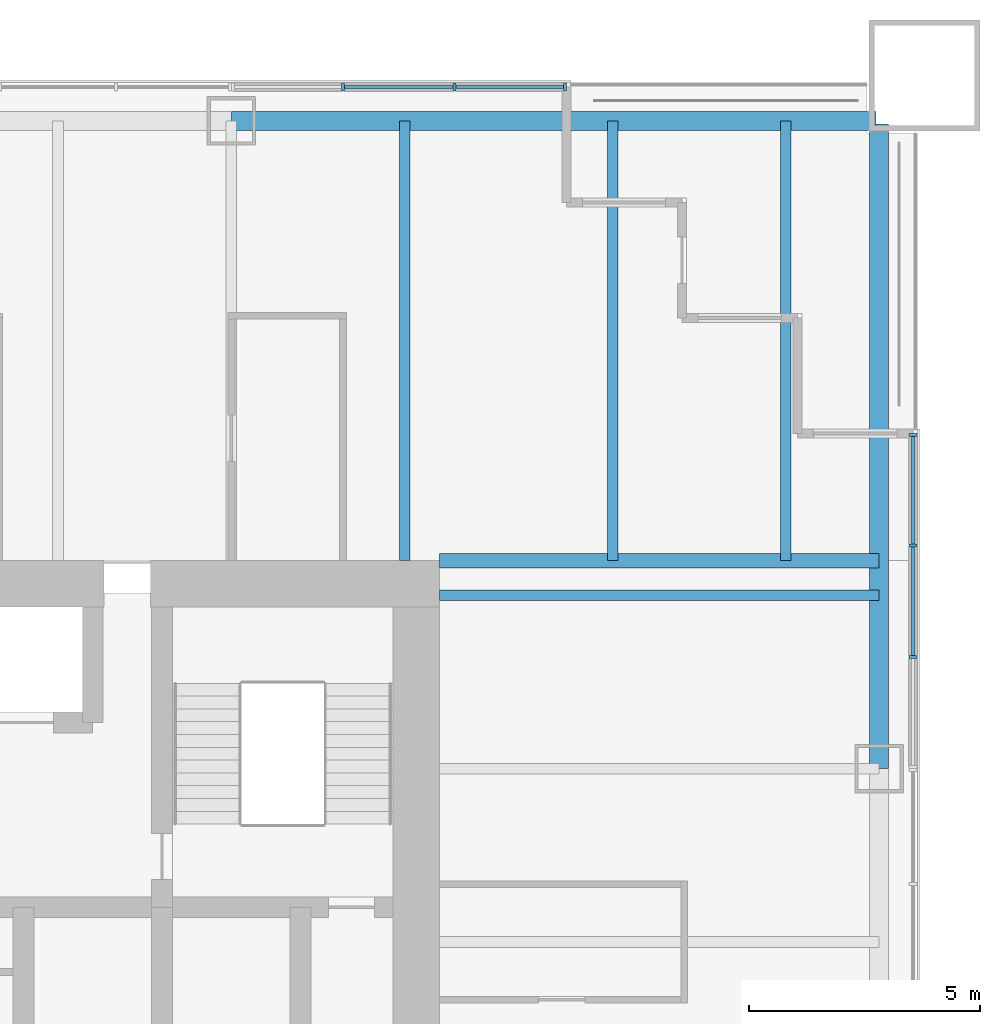
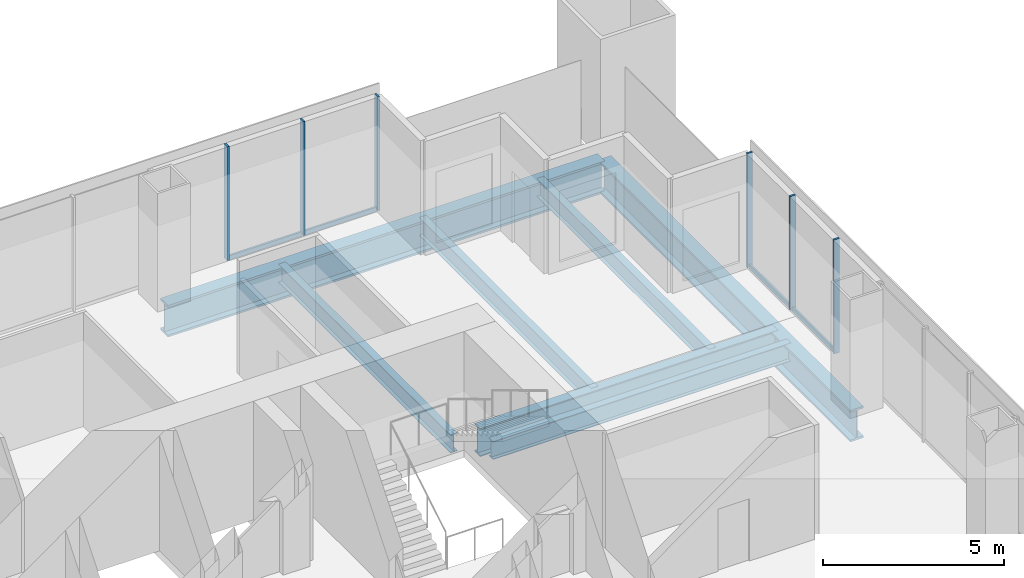
# One storey, part 6 of 13: 10 members, 7 beams, 2 elements without a shape of their own.
"""IFC4 building model written with IfcOpenShell, lengths in metres."""

from ifc_helpers import new_model, si_unit, direction, frame, origin, origin_2d, place, context, subcontext, project, spatial, rectangle, i_section, extrude, material, material_profile, profile_set, type_object, element, aggregate, save


model = new_model("IFC4")

# Units and contexts
model_context = context("Model", 3, precision=1e-05, world=origin(), true_north=direction((0.0, 1.0)))
body_context = subcontext(model_context, "Body", "Model", "MODEL_VIEW")
ifc_project = project(units=[si_unit("LENGTHUNIT", "METRE"), si_unit("AREAUNIT", "SQUARE_METRE"), si_unit("VOLUMEUNIT", "CUBIC_METRE"), si_unit("PLANEANGLEUNIT", "RADIAN"), si_unit("MASSUNIT", "GRAM", prefix="KILO")], contexts=[model_context])

# Site, building, storey
site_placement = place(None, origin())
site = spatial("IfcSite", under=ifc_project, at=site_placement, CompositionType="ELEMENT")
building_placement = place(site_placement, origin())
building = spatial("IfcBuilding", under=site, at=building_placement, Name="Tarangal Relay Tower", CompositionType="ELEMENT")
storey_placement = place(building_placement, frame((0.0, 0.0, 241.89990234375)))
storey = spatial("IfcBuildingStorey", under=building, at=storey_placement, Name="L52", CompositionType="ELEMENT", Elevation=241.89990234375)

# Beams
ifc_material_1 = material(Name="Steel ASTM A992", Category="steel")
ifc_material_profile_1 = material_profile(ifc_material_1, i_section(OverallWidth=0.227783203125, OverallDepth=0.60205078125, WebThickness=0.010498046875, FlangeThickness=0.014892578125, at=origin_2d()), Name="W24X68")
ifc_profile_set_1 = profile_set([ifc_material_profile_1], Name="Steel ASTM A992")
beam_type_1 = type_object("IfcBeamType", Name="Corner beam W24X68", PredefinedType="JOIST", material=ifc_profile_set_1)
for number, where, z_axis, x_axis, name in (
    (1, (15.75, 12.0, -0.450927734375), (0.0, 1.0, 0.0), (-1.0, 0.0, 0.0), "Corner beam CB11 N L52"),
    (2, (19.5, 12.0, -0.450927734375), (0.0, 1.0, 0.0), (-1.0, 0.0, 0.0), "Corner beam CB11 N L52"),
):
    element("IfcBeam", number, at=place(storey_placement, frame(where, z_axis=z_axis, x_axis=x_axis)), inside=storey, type_object=beam_type_1, Name=name, PredefinedType="JOIST", context=body_context, shape_type="SweptSolid", body=[
        extrude(i_section(OverallWidth=0.227783203125, OverallDepth=0.60205078125, WebThickness=0.010498046875, FlangeThickness=0.014892578125, at=origin_2d()), origin(), (0.0, 0.0, 1.0), 9.514892578125),
    ])
ifc_material_profile_2 = material_profile(ifc_material_1, i_section(OverallWidth=0.307373046875, OverallDepth=0.9423828125, WebThickness=0.022216796875, FlangeThickness=0.039794921875, at=origin_2d()), Name="W36X232")
ifc_profile_set_2 = profile_set([ifc_material_profile_2], Name="Steel ASTM A992")
beam_type_2 = type_object("IfcBeamType", Name="Corner girder W36X232", PredefinedType="BEAM", material=ifc_profile_set_2)
beam_placement = place(storey_placement, frame((12.0, 12.0, -0.62109375), z_axis=(1.0, 0.0, 0.0), x_axis=(0.0, 1.0, 0.0)))
element("IfcBeam", 3, at=beam_placement, inside=storey, type_object=beam_type_2, Name="Corner girder CG4 N L52", PredefinedType="BEAM", context=body_context, shape_type="SweptSolid", body=[
    extrude(i_section(OverallWidth=0.307373046875, OverallDepth=0.9423828125, WebThickness=0.022216796875, FlangeThickness=0.039794921875, at=origin_2d()), origin(), (0.0, 0.0, 1.0), 9.514892578125),
])
ifc_material_profile_3 = material_profile(ifc_material_1, i_section(OverallWidth=0.41650390625, OverallDepth=1.0693359375, WebThickness=0.0390625, FlangeThickness=0.070068359375, at=origin_2d()), Name="W40X503")
ifc_profile_set_3 = profile_set([ifc_material_profile_3], Name="Steel ASTM A992")
beam_type_3 = type_object("IfcBeamType", Name="Edge girder W40X503", PredefinedType="SPANDREL", material=ifc_profile_set_3)
for number, where, z_axis, x_axis, name in (
    (4, (7.5, 21.514892578125, -0.6845703125), (1.0, 0.0, 0.0), (0.0, 1.0, 0.0), "Edge girder EG8 N L52"),
    (5, (21.514892578125, 21.449951171875, -0.6845703125), (0.0, -1.0, 0.0), (1.0, 0.0, 0.0), "Edge girder EG8 E L52"),
):
    element("IfcBeam", number, at=place(storey_placement, frame(where, z_axis=z_axis, x_axis=x_axis)), inside=storey, type_object=beam_type_3, Name=name, PredefinedType="SPANDREL", context=body_context, shape_type="SweptSolid", body=[
        extrude(i_section(OverallWidth=0.41650390625, OverallDepth=1.0693359375, WebThickness=0.0390625, FlangeThickness=0.070068359375, at=origin_2d()), origin(), (0.0, 0.0, 1.0), 13.949951171875),
    ])
ifc_material_profile_4 = material_profile(ifc_material_1, i_section(OverallWidth=0.22900390625, OverallDepth=0.612060546875, WebThickness=0.011962890625, FlangeThickness=0.01953125, at=origin_2d()), Name="W24X84")
ifc_profile_set_4 = profile_set([ifc_material_profile_4], Name="Steel ASTM A992")
beam_type_4 = type_object("IfcBeamType", Name="Floor beam W24X84", PredefinedType="BEAM", material=ifc_profile_set_4)
for number, where, z_axis, x_axis, name in (
    (6, (11.25, 12.0, -0.455810546875), (0.0, 1.0, 0.0), (-1.0, 0.0, 0.0), "Floor beam RB12 N L52"),
    (7, (12.0, 11.25, -0.455810546875), (1.0, 0.0, 0.0), (0.0, 1.0, 0.0), "Floor beam RB12 E L52"),
):
    element("IfcBeam", number, at=place(storey_placement, frame(where, z_axis=z_axis, x_axis=x_axis)), inside=storey, type_object=beam_type_4, Name=name, PredefinedType="BEAM", context=body_context, shape_type="SweptSolid", body=[
        extrude(i_section(OverallWidth=0.22900390625, OverallDepth=0.612060546875, WebThickness=0.011962890625, FlangeThickness=0.01953125, at=origin_2d()), origin(), (0.0, 0.0, 1.0), 9.514892578125),
    ])

# Curtain wall, members
ifc_material_2 = material(Name="Unitised curtain wall frame, black aluminium, with metal clad infill walls", Category="aluminium")
curtain_wall_type = type_object("IfcCurtainWallType", Name="Curtain wall CW-AO", PredefinedType="USERDEFINED", material=ifc_material_2)
curtain_wall_1_placement = place(storey_placement, origin())
curtain_wall_1 = element("IfcCurtainWall", 8, at=curtain_wall_1_placement, inside=storey, type_object=curtain_wall_type, Name="Curtain wall CW-AO N facade L52", ObjectType="UNITISED CURTAIN WALL", PredefinedType="USERDEFINED")
ifc_material_3 = material(Name="Black anodised aluminium mullion", Category="aluminium")
ifc_material_profile_5 = material_profile(ifc_material_3, rectangle(XDim=0.175048828125, YDim=0.06494140625, at=origin_2d()), Name="CW-AOM 65X175")
ifc_profile_set_5 = profile_set([ifc_material_profile_5], Name="Black anodised aluminium mullion")
member_type_1 = type_object("IfcMemberType", Name="Mullion CW-AO 65 x 175", PredefinedType="MULLION", material=ifc_profile_set_5)
member_1_placement = place(storey_placement, frame((9.916748046875, 22.25, 0.0), z_axis=(0.0, 0.0, 1.0), x_axis=(0.0, 1.0, 0.0)))
member_1 = element("IfcMember", 9, at=member_1_placement, type_object=member_type_1, Name="CW-AO mullion 2", PredefinedType="MULLION", context=body_context, shape_type="SweptSolid", body=[
    extrude(rectangle(XDim=0.175048828125, YDim=0.06494140625, at=origin_2d()), origin(), (0.0, 0.0, 1.0), 3.85009765625),
])
member_2_placement = place(storey_placement, frame((12.333251953125, 22.25, 0.0), z_axis=(0.0, 0.0, 1.0), x_axis=(0.0, 1.0, 0.0)))
member_2 = element("IfcMember", 10, at=member_2_placement, type_object=member_type_1, Name="CW-AO mullion 3", PredefinedType="MULLION", context=body_context, shape_type="SweptSolid", body=[
    extrude(rectangle(XDim=0.175048828125, YDim=0.06494140625, at=origin_2d()), origin(), (0.0, 0.0, 1.0), 3.85009765625),
])
member_3_placement = place(storey_placement, frame((14.717529296875, 22.25, 0.0), z_axis=(0.0, 0.0, 1.0), x_axis=(0.0, 1.0, 0.0)))
member_3 = element("IfcMember", 11, at=member_3_placement, type_object=member_type_1, Name="CW-AO mullion 4", PredefinedType="MULLION", context=body_context, shape_type="SweptSolid", body=[
    extrude(rectangle(XDim=0.175048828125, YDim=0.06494140625, at=origin_2d()), origin(), (0.0, 0.0, 1.0), 3.85009765625),
])

curtain_wall_2_placement = place(storey_placement, origin())
curtain_wall_2 = element("IfcCurtainWall", 12, at=curtain_wall_2_placement, inside=storey, type_object=curtain_wall_type, Name="Curtain wall CW-AO E facade L52", ObjectType="UNITISED CURTAIN WALL", PredefinedType="USERDEFINED")
member_4_placement = place(storey_placement, frame((22.25, 14.717529296875, 0.0), z_axis=(0.0, 0.0, 1.0), x_axis=(1.0, 0.0, 0.0)))
member_4 = element("IfcMember", 13, at=member_4_placement, type_object=member_type_1, Name="CW-AO mullion 1", PredefinedType="MULLION", context=body_context, shape_type="SweptSolid", body=[
    extrude(rectangle(XDim=0.175048828125, YDim=0.06494140625, at=origin_2d()), origin(), (0.0, 0.0, 1.0), 3.85009765625),
])
member_5_placement = place(storey_placement, frame((22.25, 12.333251953125, 0.0), z_axis=(0.0, 0.0, 1.0), x_axis=(1.0, 0.0, 0.0)))
member_5 = element("IfcMember", 14, at=member_5_placement, type_object=member_type_1, Name="CW-AO mullion 2", PredefinedType="MULLION", context=body_context, shape_type="SweptSolid", body=[
    extrude(rectangle(XDim=0.175048828125, YDim=0.06494140625, at=origin_2d()), origin(), (0.0, 0.0, 1.0), 3.85009765625),
])
member_6_placement = place(storey_placement, frame((22.25, 9.916748046875, 0.0), z_axis=(0.0, 0.0, 1.0), x_axis=(1.0, 0.0, 0.0)))
member_6 = element("IfcMember", 15, at=member_6_placement, type_object=member_type_1, Name="CW-AO mullion 3", PredefinedType="MULLION", context=body_context, shape_type="SweptSolid", body=[
    extrude(rectangle(XDim=0.175048828125, YDim=0.06494140625, at=origin_2d()), origin(), (0.0, 0.0, 1.0), 3.85009765625),
])

# Member
ifc_material_4 = material(Name="Black anodised aluminium transom", Category="aluminium")
ifc_material_profile_6 = material_profile(ifc_material_4, rectangle(XDim=0.06494140625, YDim=0.14990234375, at=origin_2d()), Name="CW-AOT 65X150")
ifc_profile_set_6 = profile_set([ifc_material_profile_6], Name="Black anodised aluminium transom")
member_type_2 = type_object("IfcMemberType", Name="Transom CW-AO 65 x 150", PredefinedType="USERDEFINED", material=ifc_profile_set_6)
member_7_placement = place(storey_placement, frame((9.94921875, 22.25, 0.03271484375), z_axis=(1.0, 0.0, 0.0), x_axis=(0.0, 1.0, 0.0)))
member_7 = element("IfcMember", 16, at=member_7_placement, type_object=member_type_2, Name="CW-AO transom 2.1", ObjectType="TRANSOM", PredefinedType="USERDEFINED", context=body_context, shape_type="SweptSolid", body=[
    extrude(rectangle(XDim=0.06494140625, YDim=0.14990234375, at=origin_2d()), origin(), (0.0, 0.0, 1.0), 2.3515625),
])

member_8_placement = place(storey_placement, frame((12.36572265625, 22.25, 0.03271484375), z_axis=(1.0, 0.0, 0.0), x_axis=(0.0, 1.0, 0.0)))
member_8 = element("IfcMember", 17, at=member_8_placement, type_object=member_type_2, Name="CW-AO transom 3.1", ObjectType="TRANSOM", PredefinedType="USERDEFINED", context=body_context, shape_type="SweptSolid", body=[
    extrude(rectangle(XDim=0.06494140625, YDim=0.14990234375, at=origin_2d()), origin(), (0.0, 0.0, 1.0), 2.3193359375),
])

aggregate(curtain_wall_1, [member_1, member_2, member_3, member_7, member_8])

member_9_placement = place(storey_placement, frame((22.25, 14.68505859375, 0.03271484375), z_axis=(0.0, -1.0, 0.0), x_axis=(1.0, 0.0, 0.0)))
member_9 = element("IfcMember", 18, at=member_9_placement, type_object=member_type_2, Name="CW-AO transom 1.1", ObjectType="TRANSOM", PredefinedType="USERDEFINED", context=body_context, shape_type="SweptSolid", body=[
    extrude(rectangle(XDim=0.06494140625, YDim=0.14990234375, at=origin_2d()), origin(), (0.0, 0.0, 1.0), 2.3193359375),
])

member_10_placement = place(storey_placement, frame((22.25, 12.30078125, 0.03271484375), z_axis=(0.0, -1.0, 0.0), x_axis=(1.0, 0.0, 0.0)))
member_10 = element("IfcMember", 19, at=member_10_placement, type_object=member_type_2, Name="CW-AO transom 2.1", ObjectType="TRANSOM", PredefinedType="USERDEFINED", context=body_context, shape_type="SweptSolid", body=[
    extrude(rectangle(XDim=0.06494140625, YDim=0.14990234375, at=origin_2d()), origin(), (0.0, 0.0, 1.0), 2.3515625),
])

aggregate(curtain_wall_2, [member_4, member_5, member_6, member_9, member_10])

save(model, "model.ifc")
